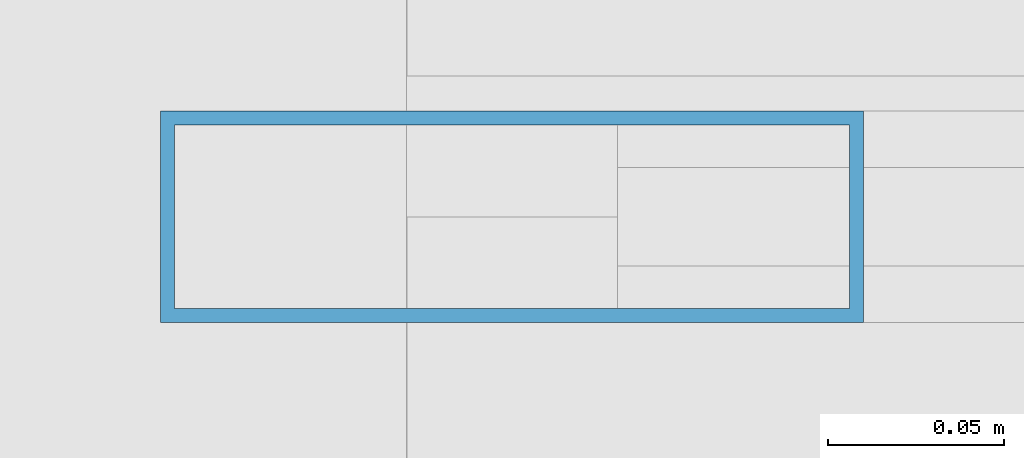
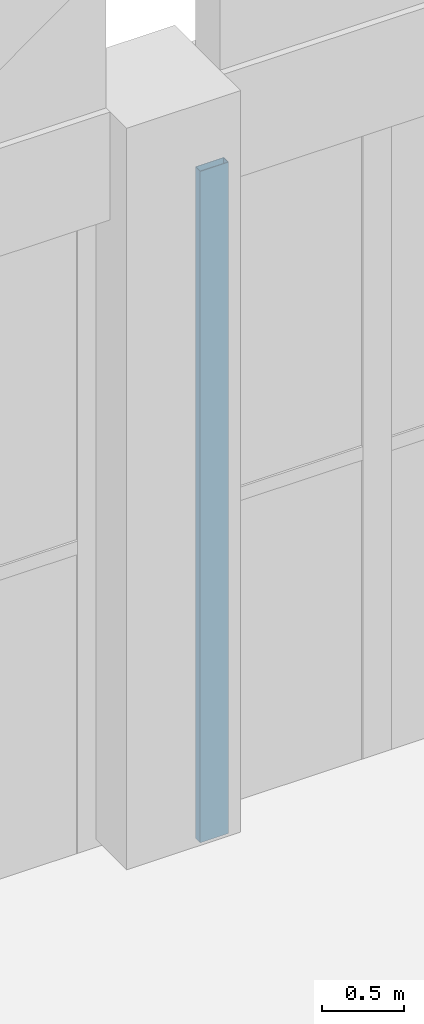
# One storey, part 127 of 437: 1 member, 1 element without a shape of its own.
"""IFC4 building model written with IfcOpenShell, lengths in metres."""

from ifc_helpers import new_model, si_unit, direction, frame, origin, origin_2d, place, context, subcontext, project, spatial, hollow_rectangle, extrude, material, layer, layer_set, material_profile, profile_set, type_object, element, aggregate, save


model = new_model("IFC4")

# Units and contexts
model_context = context("Model", 3, precision=1e-05, world=origin(), true_north=direction((0.0, 1.0)))
body_context = subcontext(model_context, "Body", "Model", "MODEL_VIEW")
ifc_project = project(units=[si_unit("LENGTHUNIT", "METRE"), si_unit("AREAUNIT", "SQUARE_METRE"), si_unit("VOLUMEUNIT", "CUBIC_METRE"), si_unit("PLANEANGLEUNIT", "RADIAN"), si_unit("MASSUNIT", "GRAM", prefix="KILO")], contexts=[model_context])

# Site, building, storey
site_placement = place(None, origin())
site = spatial("IfcSite", under=ifc_project, at=site_placement, CompositionType="ELEMENT")
building_placement = place(site_placement, origin())
building = spatial("IfcBuilding", under=site, at=building_placement, Name="Opaline Strait Convention Centre", CompositionType="ELEMENT")
storey_placement = place(building_placement, frame((0.0, 0.0, 11.5)))
storey = spatial("IfcBuildingStorey", under=building, at=storey_placement, Name="L02", CompositionType="ELEMENT", Elevation=11.5)

# Curtain wall, member
ifc_material_1 = material(Name="Aluminium framed double glazing", Category="aluminium")
ifc_layer = layer(ifc_material_1, 0.199951171875)
ifc_layer_set = layer_set([ifc_layer], Name="Aluminium framed double glazing")
curtain_wall_type = type_object("IfcCurtainWallType", Name="Curtain wall 1250", PredefinedType="NOTDEFINED", material=ifc_layer_set)
curtain_wall_placement = place(storey_placement, origin())
curtain_wall = element("IfcCurtainWall", 1, at=curtain_wall_placement, inside=storey, type_object=curtain_wall_type, Name="Curtain wall N-45-L02", PredefinedType="NOTDEFINED")
ifc_material_2 = material(Name="Aluminium alloy 6063", Category="aluminium")
ifc_material_profile = material_profile(ifc_material_2, hollow_rectangle(XDim=0.06005859375, YDim=0.199951171875, WallThickness=0.00390625, at=origin_2d()), Name="MULLION 60x200x4")
ifc_profile_set = profile_set([ifc_material_profile], Name="Aluminium alloy 6063")
member_type = type_object("IfcMemberType", Name="Curtain wall mullion 60 x 200", PredefinedType="MULLION", material=ifc_profile_set)
member_placement = place(storey_placement, frame((45.429931640625, 180.0, -0.280029296875), z_axis=(0.0, 0.0, 1.0), x_axis=(0.0, 1.0, 0.0)))
member = element("IfcMember", 2, at=member_placement, type_object=member_type, Name="PCW mullion 1", PredefinedType="MULLION", context=body_context, shape_type="SweptSolid", body=[
    extrude(hollow_rectangle(XDim=0.06005859375, YDim=0.199951171875, WallThickness=0.00390625, at=origin_2d()), origin(), (0.0, 0.0, 1.0), 4.97998046875),
])
aggregate(curtain_wall, [member])

save(model, "model.ifc")
